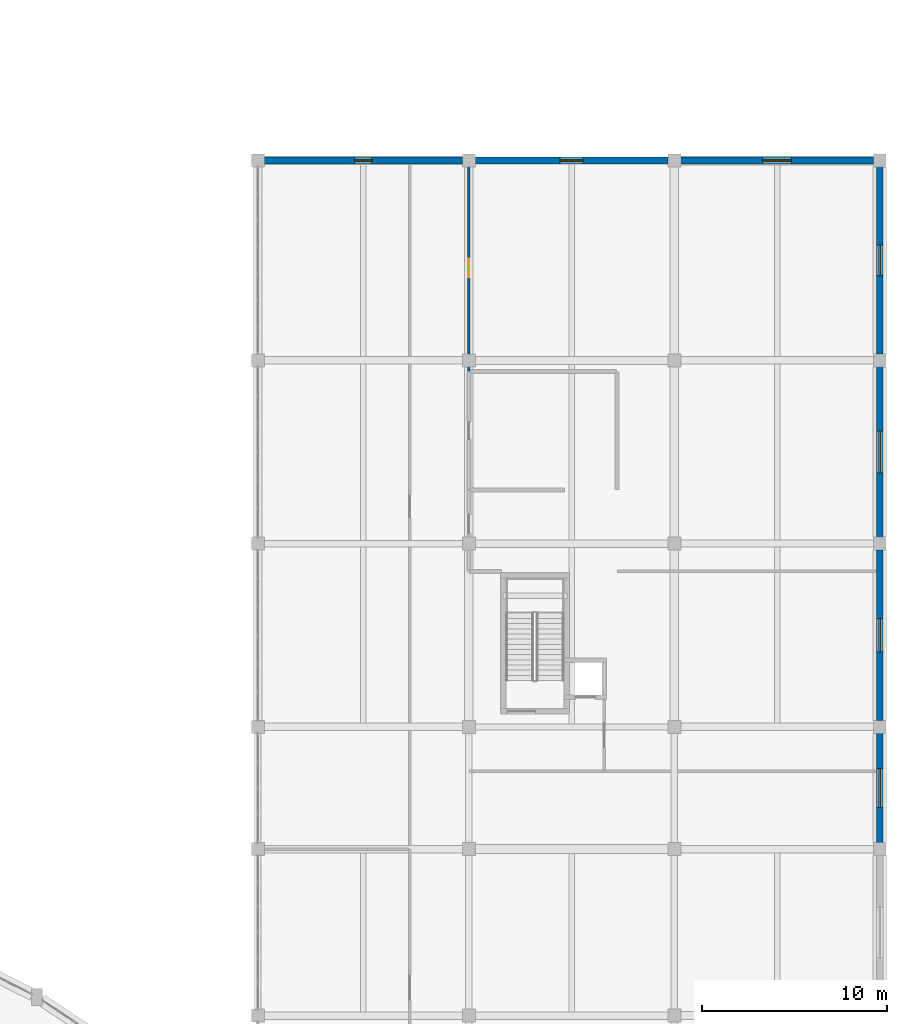
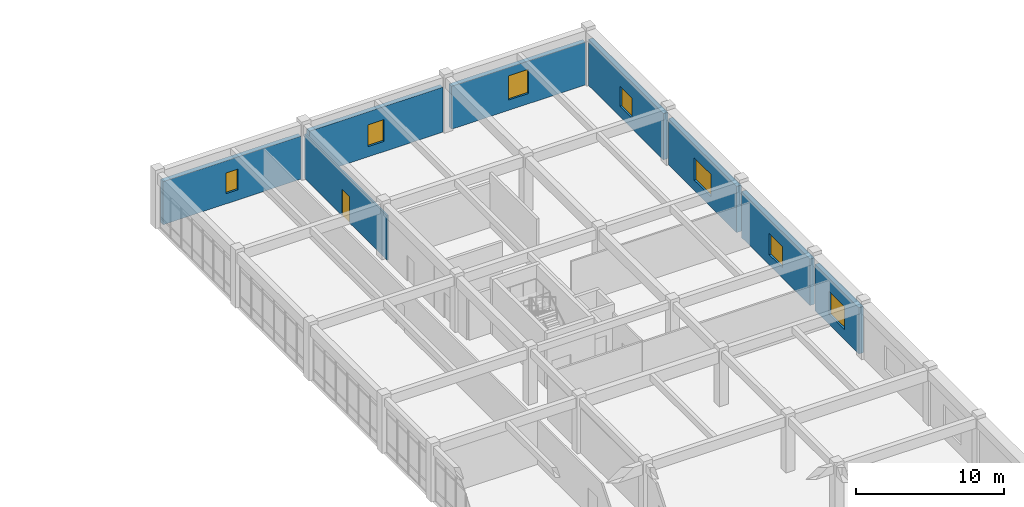
# One storey, part 54 of 65: 8 walls, 7 windows, 1 door, 8 openings.
"""IFC4 building model written with IfcOpenShell, lengths in metres."""

from ifc_helpers import new_model, si_unit, direction, frame, frame_2d, origin, place, context, subcontext, project, spatial, rectangle, extrude, material, layer, layer_set, type_object, element, fill, save


model = new_model("IFC4")

# Units and contexts
model_context = context("Model", 3, precision=1e-05, world=origin(), true_north=direction((0.0, 1.0)))
body_context = subcontext(model_context, "Body", "Model", "MODEL_VIEW")
ifc_project = project(units=[si_unit("LENGTHUNIT", "METRE"), si_unit("AREAUNIT", "SQUARE_METRE"), si_unit("VOLUMEUNIT", "CUBIC_METRE"), si_unit("PLANEANGLEUNIT", "RADIAN"), si_unit("MASSUNIT", "GRAM", prefix="KILO")], contexts=[model_context])

# Site, building, storey
site_placement = place(None, origin())
site = spatial("IfcSite", under=ifc_project, at=site_placement, CompositionType="ELEMENT")
building_placement = place(site_placement, origin())
building = spatial("IfcBuilding", under=site, at=building_placement, Name="Miralva Faculty of Natural Sciences", CompositionType="ELEMENT")
storey_placement = place(building_placement, frame((0.0, 0.0, 10.199951171875)))
storey = spatial("IfcBuildingStorey", under=building, at=storey_placement, Name="L02", CompositionType="ELEMENT", Elevation=10.199951171875)

# Wall, opening, door
ifc_material_1 = material(Name="Gypsum plasterboard")
ifc_layer_1 = layer(ifc_material_1, 0.125, Name="WL-PT05")
ifc_layer_set_1 = layer_set([ifc_layer_1], Name="Gypsum plasterboard")
wall_type_1 = type_object("IfcWallType", Name="WL-PT05", PredefinedType="PARTITIONING", material=ifc_layer_set_1)
wall_1_placement = place(storey_placement, frame((145.199951171875, 64.830078125, 0.0), z_axis=(0.0, 0.0, 1.0), x_axis=(0.0, 1.0, 0.0)))
wall_1 = element("IfcWall", 1, at=wall_1_placement, inside=storey, type_object=wall_type_1, Name="Interior partition PT-05 L02-303", PredefinedType="PARTITIONING", context=body_context, shape_type="SweptSolid", body=[
    extrude(rectangle(XDim=11.139892578125, YDim=0.125, at=frame_2d((5.56982421875, 0.0))), origin(), (0.0, 0.0, 1.0), 3.6650390625),
])
opening_1_placement = place(wall_1_placement, frame((5.070068359375, 0.0, 0.0)))
opening_1 = element("IfcOpeningElement", 2, at=opening_1_placement, cuts=wall_1, Name="Opening D-25", PredefinedType="OPENING", context=body_context, shape_type="SweptSolid", body=[
    extrude(rectangle(XDim=1.0, YDim=2.14990234375, at=frame_2d((0.5, 1.074951171875))), frame((0.0, 0.072509765625, 0.0), z_axis=(0.0, -1.0, 0.0), x_axis=(1.0, 0.0, 0.0)), (0.0, 0.0, 1.0), 0.14501953125),
])
ifc_material_2 = material(Name="Anodised aluminium", Category="aluminium")
door_type = type_object("IfcDoorType", Name="DR-DI25", OperationType="NOTDEFINED", PredefinedType="DOOR", material=ifc_material_2)
door_placement = place(opening_1_placement, origin())
door = element("IfcDoor", 3, at=door_placement, inside=storey, type_object=door_type, Name="Interior door D-25 L02-112", OperationType="SINGLE_SWING_LEFT", OverallHeight=2.14990234375, OverallWidth=1.0, PredefinedType="DOOR", context=body_context, shape_type="SweptSolid", body=[
    extrude(rectangle(XDim=1.0, YDim=2.14990234375, at=frame_2d((0.5, 1.074951171875))), frame((0.0, 0.02490234375, 0.0), z_axis=(0.0, -1.0, 0.0), x_axis=(1.0, 0.0, 0.0)), (0.0, 0.0, 1.0), 0.050048828125),
])
fill(opening_1, door)

# Wall, opening, window
ifc_material_3 = material(Name="Volcanic tuff architectural stone", Category="masonry")
ifc_layer_2 = layer(ifc_material_3, 0.360107421875, Name="WL-WT01")
ifc_layer_set_2 = layer_set([ifc_layer_2], Name="Volcanic tuff architectural stone")
wall_type_2 = type_object("IfcWallType", Name="WL-WT01", PredefinedType="SOLIDWALL", material=ifc_layer_set_2)
wall_2_placement = place(storey_placement, frame((167.39990234375, 39.3349609375, 0.0), z_axis=(0.0, 0.0, 1.0), x_axis=(0.0, 1.0, 0.0)))
wall_2 = element("IfcWall", 4, at=wall_2_placement, inside=storey, type_object=wall_type_2, Name="Exterior wall L02-315", PredefinedType="SOLIDWALL", context=body_context, shape_type="SweptSolid", body=[
    extrude(rectangle(XDim=5.929931640625, YDim=0.360107421875, at=frame_2d((2.96484375, 0.0))), origin(), (0.0, 0.0, 1.0), 3.81494140625),
])
opening_2_placement = place(wall_2_placement, frame((1.9150390625, 0.0, 0.85009765625)))
opening_2 = element("IfcOpeningElement", 5, at=opening_2_placement, cuts=wall_2, Name="Opening W-09", PredefinedType="OPENING", context=body_context, shape_type="SweptSolid", body=[
    extrude(rectangle(XDim=2.10009765625, YDim=1.89990234375, at=frame_2d((1.050048828125, 0.949951171875))), frame((0.0, 0.18994140625, 0.0), z_axis=(0.0, -1.0, 0.0), x_axis=(1.0, 0.0, 0.0)), (0.0, 0.0, 1.0), 0.380126953125),
])
ifc_material_4 = material(Name="Laminated solar-control glass", Category="glass")
window_type_1 = type_object("IfcWindowType", Name="WN-W09", PartitioningType="DOUBLE_PANEL_VERTICAL", PredefinedType="WINDOW", material=ifc_material_4)
window_1_placement = place(opening_2_placement, frame((2.10009765625, 0.0, 0.0), z_axis=(0.0, 0.0, 1.0), x_axis=(-1.0, 0.0, 0.0)))
window_1 = element("IfcWindow", 6, at=window_1_placement, inside=storey, type_object=window_type_1, Name="Window W-09 L02-240", OverallHeight=1.89990234375, OverallWidth=2.10009765625, PartitioningType="DOUBLE_PANEL_VERTICAL", PredefinedType="WINDOW", context=body_context, shape_type="SweptSolid", body=[
    extrude(rectangle(XDim=2.10009765625, YDim=1.89990234375, at=frame_2d((1.050048828125, 0.949951171875))), frame((0.0, 0.030029296875, 0.0), z_axis=(0.0, -1.0, 0.0), x_axis=(1.0, 0.0, 0.0)), (0.0, 0.0, 1.0), 0.06005859375),
])
fill(opening_2, window_1)

wall_3_placement = place(storey_placement, frame((167.39990234375, 45.93505859375, 0.0), z_axis=(0.0, 0.0, 1.0), x_axis=(0.0, 1.0, 0.0)))
wall_3 = element("IfcWall", 7, at=wall_3_placement, inside=storey, type_object=wall_type_2, Name="Exterior wall L02-316", PredefinedType="SOLIDWALL", context=body_context, shape_type="SweptSolid", body=[
    extrude(rectangle(XDim=9.22998046875, YDim=0.360107421875, at=frame_2d((4.614990234375, 0.0))), origin(), (0.0, 0.0, 1.0), 3.81494140625),
])
opening_3_placement = place(wall_3_placement, frame((3.715087890625, 0.0, 0.85009765625)))
opening_3 = element("IfcOpeningElement", 8, at=opening_3_placement, cuts=wall_3, Name="Opening W-10", PredefinedType="OPENING", context=body_context, shape_type="SweptSolid", body=[
    extrude(rectangle(XDim=1.800048828125, YDim=1.75, at=frame_2d((0.89990234375, 0.875))), frame((0.0, 0.18994140625, 0.0), z_axis=(0.0, -1.0, 0.0), x_axis=(1.0, 0.0, 0.0)), (0.0, 0.0, 1.0), 0.380126953125),
])
window_type_2 = type_object("IfcWindowType", Name="WN-W10", PartitioningType="DOUBLE_PANEL_HORIZONTAL", PredefinedType="WINDOW", material=ifc_material_4)
window_2_placement = place(opening_3_placement, frame((1.800048828125, 0.0, 0.0), z_axis=(0.0, 0.0, 1.0), x_axis=(-1.0, 0.0, 0.0)))
window_2 = element("IfcWindow", 9, at=window_2_placement, inside=storey, type_object=window_type_2, Name="Window W-10 L02-241", OverallHeight=1.75, OverallWidth=1.800048828125, PartitioningType="DOUBLE_PANEL_HORIZONTAL", PredefinedType="WINDOW", context=body_context, shape_type="SweptSolid", body=[
    extrude(rectangle(XDim=1.800048828125, YDim=1.75, at=frame_2d((0.89990234375, 0.875))), frame((0.0, 0.030029296875, 0.0), z_axis=(0.0, -1.0, 0.0), x_axis=(1.0, 0.0, 0.0)), (0.0, 0.0, 1.0), 0.06005859375),
])
fill(opening_3, window_2)

wall_4_placement = place(storey_placement, frame((167.39990234375, 55.8349609375, 0.0), z_axis=(0.0, 0.0, 1.0), x_axis=(0.0, 1.0, 0.0)))
wall_4 = element("IfcWall", 10, at=wall_4_placement, inside=storey, type_object=wall_type_2, Name="Exterior wall L02-317", PredefinedType="SOLIDWALL", context=body_context, shape_type="SweptSolid", body=[
    extrude(rectangle(XDim=9.22998046875, YDim=0.360107421875, at=frame_2d((4.614990234375, 0.0))), origin(), (0.0, 0.0, 1.0), 3.81494140625),
])
opening_4_placement = place(wall_4_placement, frame((3.489990234375, 0.0, 0.85009765625)))
opening_4 = element("IfcOpeningElement", 11, at=opening_4_placement, cuts=wall_4, Name="Opening W-12", PredefinedType="OPENING", context=body_context, shape_type="SweptSolid", body=[
    extrude(rectangle(XDim=2.25, YDim=1.85009765625, at=frame_2d((1.125, 0.925048828125))), frame((0.0, 0.18994140625, 0.0), z_axis=(0.0, -1.0, 0.0), x_axis=(1.0, 0.0, 0.0)), (0.0, 0.0, 1.0), 0.380126953125),
])
window_type_3 = type_object("IfcWindowType", Name="WN-W12", PartitioningType="DOUBLE_PANEL_VERTICAL", PredefinedType="WINDOW", material=ifc_material_4)
window_3_placement = place(opening_4_placement, frame((2.25, 0.0, 0.0), z_axis=(0.0, 0.0, 1.0), x_axis=(-1.0, 0.0, 0.0)))
window_3 = element("IfcWindow", 12, at=window_3_placement, inside=storey, type_object=window_type_3, Name="Window W-12 L02-242", OverallHeight=1.85009765625, OverallWidth=2.25, PartitioningType="DOUBLE_PANEL_VERTICAL", PredefinedType="WINDOW", context=body_context, shape_type="SweptSolid", body=[
    extrude(rectangle(XDim=2.25, YDim=1.85009765625, at=frame_2d((1.125, 0.925048828125))), frame((0.0, 0.030029296875, 0.0), z_axis=(0.0, -1.0, 0.0), x_axis=(1.0, 0.0, 0.0)), (0.0, 0.0, 1.0), 0.06005859375),
])
fill(opening_4, window_3)

wall_5_placement = place(storey_placement, frame((167.39990234375, 65.735107421875, 0.0), z_axis=(0.0, 0.0, 1.0), x_axis=(0.0, 1.0, 0.0)))
wall_5 = element("IfcWall", 13, at=wall_5_placement, inside=storey, type_object=wall_type_2, Name="Exterior wall L02-318", PredefinedType="SOLIDWALL", context=body_context, shape_type="SweptSolid", body=[
    extrude(rectangle(XDim=10.1298828125, YDim=0.360107421875, at=frame_2d((5.06494140625, 0.0))), origin(), (0.0, 0.0, 1.0), 3.81494140625),
])
opening_5_placement = place(wall_5_placement, frame((4.239990234375, 0.0, 0.85009765625)))
opening_5 = element("IfcOpeningElement", 14, at=opening_5_placement, cuts=wall_5, Name="Opening W-18", PredefinedType="OPENING", context=body_context, shape_type="SweptSolid", body=[
    extrude(rectangle(XDim=1.64990234375, YDim=1.64990234375, at=frame_2d((0.824951171875, 0.824951171875))), frame((0.0, 0.18994140625, 0.0), z_axis=(0.0, -1.0, 0.0), x_axis=(1.0, 0.0, 0.0)), (0.0, 0.0, 1.0), 0.380126953125),
])
window_type_4 = type_object("IfcWindowType", Name="WN-W18", PartitioningType="SINGLE_PANEL", PredefinedType="WINDOW", material=ifc_material_4)
window_4_placement = place(opening_5_placement, frame((1.64990234375, 0.0, 0.0), z_axis=(0.0, 0.0, 1.0), x_axis=(-1.0, 0.0, 0.0)))
window_4 = element("IfcWindow", 15, at=window_4_placement, inside=storey, type_object=window_type_4, Name="Window W-18 L02-243", OverallHeight=1.64990234375, OverallWidth=1.64990234375, PartitioningType="SINGLE_PANEL", PredefinedType="WINDOW", context=body_context, shape_type="SweptSolid", body=[
    extrude(rectangle(XDim=1.64990234375, YDim=1.64990234375, at=frame_2d((0.824951171875, 0.824951171875))), frame((0.0, 0.030029296875, 0.0), z_axis=(0.0, -1.0, 0.0), x_axis=(1.0, 0.0, 0.0)), (0.0, 0.0, 1.0), 0.06005859375),
])
fill(opening_5, window_4)

wall_6_placement = place(storey_placement, frame((134.135009765625, 76.199951171875, 0.0), z_axis=(0.0, 0.0, 1.0), x_axis=(1.0, 0.0, 0.0)))
wall_6 = element("IfcWall", 16, at=wall_6_placement, inside=storey, type_object=wall_type_2, Name="Exterior wall L02-320", PredefinedType="SOLIDWALL", context=body_context, shape_type="SweptSolid", body=[
    extrude(rectangle(XDim=10.72998046875, YDim=0.360107421875, at=frame_2d((5.364990234375, 0.0))), origin(), (0.0, 0.0, 1.0), 3.554931640625),
])
opening_6_placement = place(wall_6_placement, frame((4.889892578125, 0.0, 0.85009765625)))
opening_6 = element("IfcOpeningElement", 17, at=opening_6_placement, cuts=wall_6, Name="Opening W-21", PredefinedType="OPENING", context=body_context, shape_type="SweptSolid", body=[
    extrude(rectangle(XDim=0.949951171875, YDim=1.699951171875, at=frame_2d((0.47509765625, 0.85009765625))), frame((0.0, 0.18994140625, 0.0), z_axis=(0.0, -1.0, 0.0), x_axis=(1.0, 0.0, 0.0)), (0.0, 0.0, 1.0), 0.380126953125),
])
window_type_5 = type_object("IfcWindowType", Name="WN-W21", PartitioningType="DOUBLE_PANEL_VERTICAL", PredefinedType="WINDOW", material=ifc_material_4)
window_5_placement = place(opening_6_placement, origin())
window_5 = element("IfcWindow", 18, at=window_5_placement, inside=storey, type_object=window_type_5, Name="Window W-21 L02-245", OverallHeight=1.699951171875, OverallWidth=0.949951171875, PartitioningType="DOUBLE_PANEL_VERTICAL", PredefinedType="WINDOW", context=body_context, shape_type="SweptSolid", body=[
    extrude(rectangle(XDim=0.949951171875, YDim=1.699951171875, at=frame_2d((0.47509765625, 0.85009765625))), frame((0.0, 0.030029296875, 0.0), z_axis=(0.0, -1.0, 0.0), x_axis=(1.0, 0.0, 0.0)), (0.0, 0.0, 1.0), 0.06005859375),
])
fill(opening_6, window_5)

wall_7_placement = place(storey_placement, frame((145.534912109375, 76.199951171875, 0.0), z_axis=(0.0, 0.0, 1.0), x_axis=(1.0, 0.0, 0.0)))
wall_7 = element("IfcWall", 19, at=wall_7_placement, inside=storey, type_object=wall_type_2, Name="Exterior wall L02-322", PredefinedType="SOLIDWALL", context=body_context, shape_type="SweptSolid", body=[
    extrude(rectangle(XDim=10.43017578125, YDim=0.360107421875, at=frame_2d((5.215087890625, 0.0))), origin(), (0.0, 0.0, 1.0), 3.715087890625),
])
opening_7_placement = place(wall_7_placement, frame((4.590087890625, 0.0, 0.85009765625)))
opening_7 = element("IfcOpeningElement", 20, at=opening_7_placement, cuts=wall_7, Name="Opening W-23", PredefinedType="OPENING", context=body_context, shape_type="SweptSolid", body=[
    extrude(rectangle(XDim=1.25, YDim=1.800048828125, at=frame_2d((0.625, 0.89990234375))), frame((0.0, 0.18994140625, 0.0), z_axis=(0.0, -1.0, 0.0), x_axis=(1.0, 0.0, 0.0)), (0.0, 0.0, 1.0), 0.380126953125),
])
window_type_6 = type_object("IfcWindowType", Name="WN-W23", PartitioningType="DOUBLE_PANEL_VERTICAL", PredefinedType="WINDOW", material=ifc_material_4)
window_6_placement = place(opening_7_placement, origin())
window_6 = element("IfcWindow", 21, at=window_6_placement, inside=storey, type_object=window_type_6, Name="Window W-23 L02-247", OverallHeight=1.800048828125, OverallWidth=1.25, PartitioningType="DOUBLE_PANEL_VERTICAL", PredefinedType="WINDOW", context=body_context, shape_type="SweptSolid", body=[
    extrude(rectangle(XDim=1.25, YDim=1.800048828125, at=frame_2d((0.625, 0.89990234375))), frame((0.0, 0.030029296875, 0.0), z_axis=(0.0, -1.0, 0.0), x_axis=(1.0, 0.0, 0.0)), (0.0, 0.0, 1.0), 0.06005859375),
])
fill(opening_7, window_6)

wall_8_placement = place(storey_placement, frame((156.635009765625, 76.199951171875, 0.0), z_axis=(0.0, 0.0, 1.0), x_axis=(1.0, 0.0, 0.0)))
wall_8 = element("IfcWall", 22, at=wall_8_placement, inside=storey, type_object=wall_type_2, Name="Exterior wall L02-324", PredefinedType="SOLIDWALL", context=body_context, shape_type="SweptSolid", body=[
    extrude(rectangle(XDim=10.429931640625, YDim=0.360107421875, at=frame_2d((5.21484375, 0.0))), origin(), (0.0, 0.0, 1.0), 3.53515625),
])
opening_8_placement = place(wall_8_placement, frame((4.43994140625, 0.0, 0.85009765625)))
opening_8 = element("IfcOpeningElement", 23, at=opening_8_placement, cuts=wall_8, Name="Opening W-25", PredefinedType="OPENING", context=body_context, shape_type="SweptSolid", body=[
    extrude(rectangle(XDim=1.550048828125, YDim=2.0, at=frame_2d((0.77490234375, 1.0))), frame((0.0, 0.18994140625, 0.0), z_axis=(0.0, -1.0, 0.0), x_axis=(1.0, 0.0, 0.0)), (0.0, 0.0, 1.0), 0.380126953125),
])
window_type_7 = type_object("IfcWindowType", Name="WN-W25", PartitioningType="DOUBLE_PANEL_VERTICAL", PredefinedType="WINDOW", material=ifc_material_4)
window_7_placement = place(opening_8_placement, origin())
window_7 = element("IfcWindow", 24, at=window_7_placement, inside=storey, type_object=window_type_7, Name="Window W-25 L02-249", OverallHeight=2.0, OverallWidth=1.550048828125, PartitioningType="DOUBLE_PANEL_VERTICAL", PredefinedType="WINDOW", context=body_context, shape_type="SweptSolid", body=[
    extrude(rectangle(XDim=1.550048828125, YDim=2.0, at=frame_2d((0.77490234375, 1.0))), frame((0.0, 0.030029296875, 0.0), z_axis=(0.0, -1.0, 0.0), x_axis=(1.0, 0.0, 0.0)), (0.0, 0.0, 1.0), 0.06005859375),
])
fill(opening_8, window_7)

save(model, "model.ifc")
